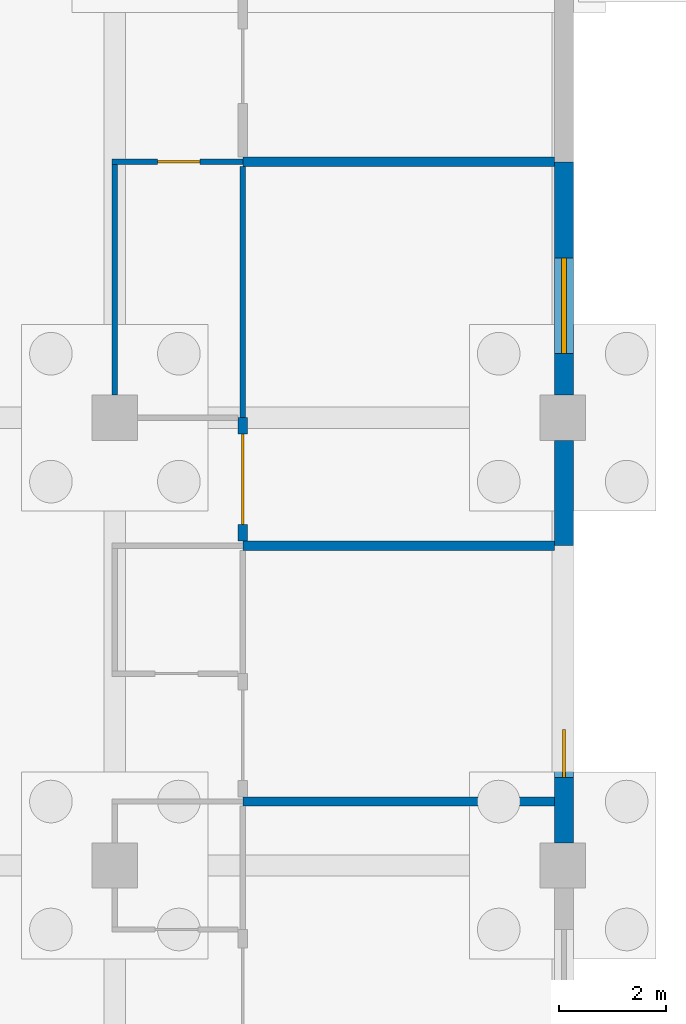
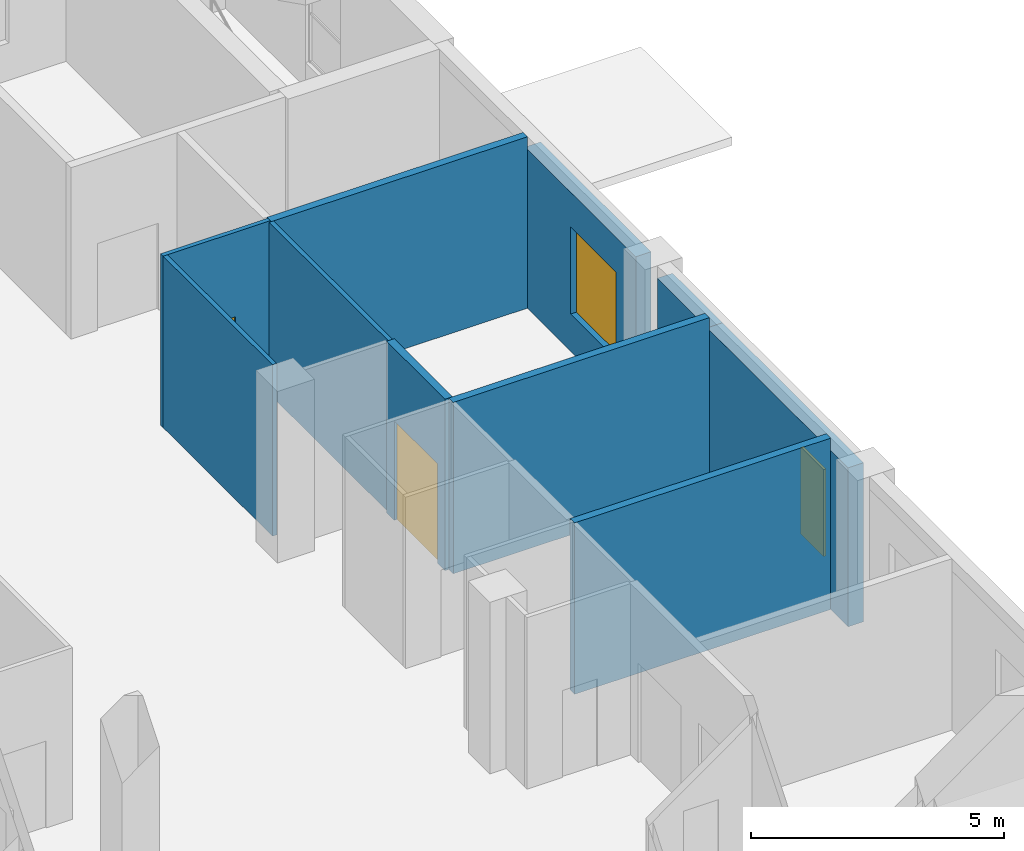
# One storey, part 120 of 138: 10 walls, 2 doors, 2 windows, 4 openings.
"""IFC4 building model written with IfcOpenShell, lengths in metres."""

from ifc_helpers import new_model, si_unit, direction, frame, frame_2d, origin, place, context, subcontext, project, spatial, rectangle, extrude, material, layer, layer_set, type_object, element, fill, save


model = new_model("IFC4")

# Units and contexts
model_context = context("Model", 3, precision=1e-05, world=origin(), true_north=direction((0.0, 1.0)))
body_context = subcontext(model_context, "Body", "Model", "MODEL_VIEW")
ifc_project = project(units=[si_unit("LENGTHUNIT", "METRE"), si_unit("AREAUNIT", "SQUARE_METRE"), si_unit("VOLUMEUNIT", "CUBIC_METRE"), si_unit("PLANEANGLEUNIT", "RADIAN"), si_unit("MASSUNIT", "GRAM", prefix="KILO")], contexts=[model_context])

# Site, building, storey
site_placement = place(None, origin())
site = spatial("IfcSite", under=ifc_project, at=site_placement, CompositionType="ELEMENT")
building_placement = place(site_placement, origin())
building = spatial("IfcBuilding", under=site, at=building_placement, Name="Yavir Park General Hospital", CompositionType="ELEMENT")
storey_placement = place(building_placement, origin())
storey = spatial("IfcBuildingStorey", under=building, at=storey_placement, Name="L00", CompositionType="ELEMENT", Elevation=0.0)

# Walls
ifc_material_1 = material(Name="Double-leaf gypsum board acoustic partition on staggered studs")
ifc_layer_1 = layer(ifc_material_1, 0.175048828125)
ifc_layer_set_1 = layer_set([ifc_layer_1], Name="Double-leaf gypsum board acoustic partition on staggered studs")
wall_type_1 = type_object("IfcWallType", Name="Acoustic partition 175", PredefinedType="PARTITIONING", material=ifc_layer_set_1)
for number, where, z_axis, x_axis, name in (
    (1, (162.0, 93.60009765625, 0.0), (0.0, 0.0, 1.0), (1.0, 0.0, 0.0), "AP175 L00-214"),
    (2, (162.0, 98.39990234375, 0.0), (0.0, 0.0, 1.0), (1.0, 0.0, 0.0), "AP175 L00-223"),
    (3, (162.0, 105.60009765625, 0.0), (0.0, 0.0, 1.0), (1.0, 0.0, 0.0), "AP175 L00-238"),
):
    element("IfcWall", number, at=place(storey_placement, frame(where, z_axis=z_axis, x_axis=x_axis)), inside=storey, type_object=wall_type_1, Name=name, PredefinedType="PARTITIONING", context=body_context, shape_type="SweptSolid", body=[
        extrude(rectangle(XDim=5.85009765625, YDim=0.175048828125, at=frame_2d((2.925048828125, 0.0))), origin(), (0.0, 0.0, 1.0), 4.139892578125),
    ])

# Wall, opening, door
wall_1_placement = place(storey_placement, frame((162.0, 98.487548828125, 0.0), z_axis=(0.0, 0.0, 1.0), x_axis=(0.0, 1.0, 0.0)))
wall_1 = element("IfcWall", 4, at=wall_1_placement, inside=storey, type_object=wall_type_1, Name="AP175 L00-523", PredefinedType="PARTITIONING", context=body_context, shape_type="SweptSolid", body=[
    extrude(rectangle(XDim=2.3125, YDim=0.175048828125, at=frame_2d((1.15625, 0.0))), origin(), (0.0, 0.0, 1.0), 4.139892578125),
])
opening_1_placement = place(wall_1_placement, frame((0.30615234375, 0.0, 0.0)))
opening_1 = element("IfcOpeningElement", 5, at=opening_1_placement, cuts=wall_1, Name="Opening L00.D245", PredefinedType="OPENING", context=body_context, shape_type="SweptSolid", body=[
    extrude(rectangle(XDim=1.699951171875, YDim=2.39990234375, at=frame_2d((0.85009765625, 1.199951171875))), frame((0.0, 0.097412109375, 0.0), z_axis=(0.0, -1.0, 0.0), x_axis=(1.0, 0.0, 0.0)), (0.0, 0.0, 1.0), 0.195068359375),
])
ifc_material_2 = material(Name="Hollow metal frame, solid-core timber leaf", Category="wood")
door_type_1 = type_object("IfcDoorType", Name="Double swing door 1700 x 2400", OperationType="DOUBLE_DOOR_SINGLE_SWING", PredefinedType="DOOR", material=ifc_material_2)
door_1_placement = place(opening_1_placement, origin())
door_1 = element("IfcDoor", 6, at=door_1_placement, inside=storey, type_object=door_type_1, Name="L00.D245", OperationType="SINGLE_SWING_LEFT", OverallHeight=2.39990234375, OverallWidth=1.699951171875, PredefinedType="DOOR", context=body_context, shape_type="SweptSolid", body=[
    extrude(rectangle(XDim=1.699951171875, YDim=2.39990234375, at=frame_2d((0.85009765625, 1.199951171875))), frame((0.0, 0.02490234375, 0.0), z_axis=(0.0, -1.0, 0.0), x_axis=(1.0, 0.0, 0.0)), (0.0, 0.0, 1.0), 0.050048828125),
])
fill(opening_1, door_1)

ifc_material_3 = material(Name="Gypsum board partition on steel studs", Category="steel")
ifc_layer_2 = layer(ifc_material_3, 0.10009765625)
ifc_layer_set_2 = layer_set([ifc_layer_2], Name="Gypsum board partition on steel studs")
wall_type_2 = type_object("IfcWallType", Name="Gypsum board partition 100", PredefinedType="PARTITIONING", material=ifc_layer_set_2)
wall_2_placement = place(storey_placement, frame((159.550048828125, 105.60009765625, 0.0), z_axis=(0.0, 0.0, 1.0), x_axis=(1.0, 0.0, 0.0)))
wall_2 = element("IfcWall", 7, at=wall_2_placement, inside=storey, type_object=wall_type_2, Name="P10 L00-237", PredefinedType="PARTITIONING", context=body_context, shape_type="SweptSolid", body=[
    extrude(rectangle(XDim=2.449951171875, YDim=0.10009765625, at=frame_2d((1.22509765625, 0.0))), origin(), (0.0, 0.0, 1.0), 4.139892578125),
])
opening_2_placement = place(wall_2_placement, frame((0.85009765625, 0.0, 0.0)))
opening_2 = element("IfcOpeningElement", 8, at=opening_2_placement, cuts=wall_2, Name="Opening L00.D123", PredefinedType="OPENING", context=body_context, shape_type="SweptSolid", body=[
    extrude(rectangle(XDim=0.800048828125, YDim=2.10009765625, at=frame_2d((0.39990234375, 1.050048828125))), frame((0.0, 0.06005859375, 0.0), z_axis=(0.0, -1.0, 0.0), x_axis=(1.0, 0.0, 0.0)), (0.0, 0.0, 1.0), 0.1201171875),
])
ifc_material_4 = material(Name="Timber frame, hollow-core leaf", Category="wood")
door_type_2 = type_object("IfcDoorType", Name="Light cupboard door 800 x 2100", OperationType="SINGLE_SWING_LEFT", PredefinedType="DOOR", material=ifc_material_4)
door_2_placement = place(opening_2_placement, origin())
door_2 = element("IfcDoor", 9, at=door_2_placement, inside=storey, type_object=door_type_2, Name="L00.D123", OperationType="SINGLE_SWING_LEFT", OverallHeight=2.10009765625, OverallWidth=0.800048828125, PredefinedType="DOOR", context=body_context, shape_type="SweptSolid", body=[
    extrude(rectangle(XDim=0.800048828125, YDim=2.10009765625, at=frame_2d((0.39990234375, 1.050048828125))), frame((0.0, 0.02001953125, 0.0), z_axis=(0.0, -1.0, 0.0), x_axis=(1.0, 0.0, 0.0)), (0.0, 0.0, 1.0), 0.0400390625),
])
fill(opening_2, door_2)

# Walls
wall_3_placement = place(storey_placement, frame((159.60009765625, 101.22509765625, 0.0), z_axis=(0.0, 0.0, 1.0), x_axis=(0.0, 1.0, 0.0)))
element("IfcWall", 10, at=wall_3_placement, inside=storey, type_object=wall_type_2, Name="P10 L00-512", PredefinedType="PARTITIONING", context=body_context, shape_type="SweptSolid", body=[
    extrude(rectangle(XDim=4.324951171875, YDim=0.10009765625, at=frame_2d((2.16259765625, 0.0))), origin(), (0.0, 0.0, 1.0), 4.139892578125),
])
wall_4_placement = place(storey_placement, frame((162.0, 100.800048828125, 0.0), z_axis=(0.0, 0.0, 1.0), x_axis=(0.0, 1.0, 0.0)))
element("IfcWall", 11, at=wall_4_placement, inside=storey, type_object=wall_type_2, Name="P10 L00-524", PredefinedType="PARTITIONING", context=body_context, shape_type="SweptSolid", body=[
    extrude(rectangle(XDim=4.71240234375, YDim=0.10009765625, at=frame_2d((2.356201171875, 0.0))), origin(), (0.0, 0.0, 1.0), 4.139892578125),
])

# Wall, opening, window
ifc_material_5 = material(Name="Concrete C30/37 precast panel with 120 mm mineral wool insulation", Category="concrete")
ifc_layer_3 = layer(ifc_material_5, 0.35009765625)
ifc_layer_set_3 = layer_set([ifc_layer_3], Name="Concrete C30/37 precast panel with 120 mm mineral wool insulation")
wall_type_3 = type_object("IfcWallType", Name="Precast cladding panel podium wall 350, E 30", PredefinedType="SOLIDWALL", material=ifc_layer_set_3)
wall_5_placement = place(storey_placement, frame((168.02490234375, 92.824951171875, 0.0), z_axis=(0.0, 0.0, 1.0), x_axis=(0.0, 1.0, 0.0)))
wall_5 = element("IfcWall", 12, at=wall_5_placement, inside=storey, type_object=wall_type_3, Name="XW2 L00-194", PredefinedType="SOLIDWALL", context=body_context, shape_type="SweptSolid", body=[
    extrude(rectangle(XDim=5.574951171875, YDim=0.35009765625, at=frame_2d((2.78759765625, 0.0))), origin(), (0.0, 0.0, 1.0), 3.840087890625),
])
opening_3_placement = place(wall_5_placement, frame((1.22509765625, 0.0, 0.89990234375)))
opening_3 = element("IfcOpeningElement", 13, at=opening_3_placement, cuts=wall_5, Name="Opening WH2", PredefinedType="OPENING", context=body_context, shape_type="SweptSolid", body=[
    extrude(rectangle(XDim=0.89990234375, YDim=2.10009765625, at=frame_2d((0.449951171875, 1.050048828125))), frame((0.0, 0.18505859375, 0.0), z_axis=(0.0, -1.0, 0.0), x_axis=(1.0, 0.0, 0.0)), (0.0, 0.0, 1.0), 0.3701171875),
])
ifc_material_6 = material(Name="Aluminium frame, double glazed unit", Category="aluminium")
window_type_1 = type_object("IfcWindowType", Name="Tall narrow window 900 x 2100", PartitioningType="SINGLE_PANEL", PredefinedType="WINDOW", material=ifc_material_6)
window_1_placement = place(opening_3_placement, origin())
window_1 = element("IfcWindow", 14, at=window_1_placement, inside=storey, type_object=window_type_1, Name="WH2 L00-084", OverallHeight=2.10009765625, OverallWidth=0.89990234375, PartitioningType="SINGLE_PANEL", PredefinedType="WINDOW", context=body_context, shape_type="SweptSolid", body=[
    extrude(rectangle(XDim=0.89990234375, YDim=2.10009765625, at=frame_2d((0.449951171875, 1.050048828125))), frame((0.0, 0.030029296875, 0.0), z_axis=(0.0, -1.0, 0.0), x_axis=(1.0, 0.0, 0.0)), (0.0, 0.0, 1.0), 0.06005859375),
])
fill(opening_3, window_1)

# Wall
wall_6_placement = place(storey_placement, frame((168.02490234375, 98.39990234375, 0.0), z_axis=(0.0, 0.0, 1.0), x_axis=(0.0, 1.0, 0.0)))
element("IfcWall", 15, at=wall_6_placement, inside=storey, type_object=wall_type_3, Name="XW2 L00-195", PredefinedType="SOLIDWALL", context=body_context, shape_type="SweptSolid", body=[
    extrude(rectangle(XDim=1.97509765625, YDim=0.35009765625, at=frame_2d((0.987548828125, 0.0))), origin(), (0.0, 0.0, 1.0), 3.840087890625),
])

# Wall, opening, window
wall_7_placement = place(storey_placement, frame((168.02490234375, 101.22509765625, 0.0), z_axis=(0.0, 0.0, 1.0), x_axis=(0.0, 1.0, 0.0)))
wall_7 = element("IfcWall", 16, at=wall_7_placement, inside=storey, type_object=wall_type_3, Name="XW2 L00-196", PredefinedType="SOLIDWALL", context=body_context, shape_type="SweptSolid", body=[
    extrude(rectangle(XDim=4.375, YDim=0.35009765625, at=frame_2d((2.1875, 0.0))), origin(), (0.0, 0.0, 1.0), 3.840087890625),
])
opening_4_placement = place(wall_7_placement, frame((0.77490234375, 0.0, 0.89990234375)))
opening_4 = element("IfcOpeningElement", 17, at=opening_4_placement, cuts=wall_7, Name="Opening WS2", PredefinedType="OPENING", context=body_context, shape_type="SweptSolid", body=[
    extrude(rectangle(XDim=1.800048828125, YDim=2.10009765625, at=frame_2d((0.89990234375, 1.050048828125))), frame((0.0, 0.18505859375, 0.0), z_axis=(0.0, -1.0, 0.0), x_axis=(1.0, 0.0, 0.0)), (0.0, 0.0, 1.0), 0.3701171875),
])
ifc_material_7 = material(Name="Aluminium frame, impact-resistant glazed unit", Category="aluminium")
window_type_2 = type_object("IfcWindowType", Name="Tall emergency department window, impact glazing 1800 x 2100", PartitioningType="SINGLE_PANEL", PredefinedType="WINDOW", material=ifc_material_7)
window_2_placement = place(opening_4_placement, origin())
window_2 = element("IfcWindow", 18, at=window_2_placement, inside=storey, type_object=window_type_2, Name="WS2 L00-085", OverallHeight=2.10009765625, OverallWidth=1.800048828125, PartitioningType="SINGLE_PANEL", PredefinedType="WINDOW", context=body_context, shape_type="SweptSolid", body=[
    extrude(rectangle(XDim=1.800048828125, YDim=2.10009765625, at=frame_2d((0.89990234375, 1.050048828125))), frame((0.0, 0.044921875, 0.0), z_axis=(0.0, -1.0, 0.0), x_axis=(1.0, 0.0, 0.0)), (0.0, 0.0, 1.0), 0.090087890625),
])
fill(opening_4, window_2)

save(model, "model.ifc")
